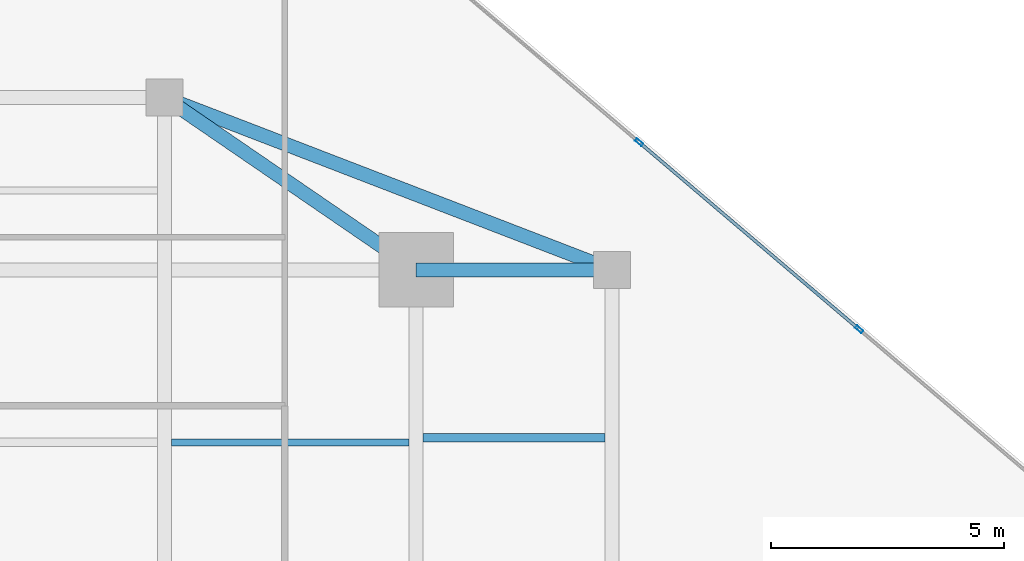
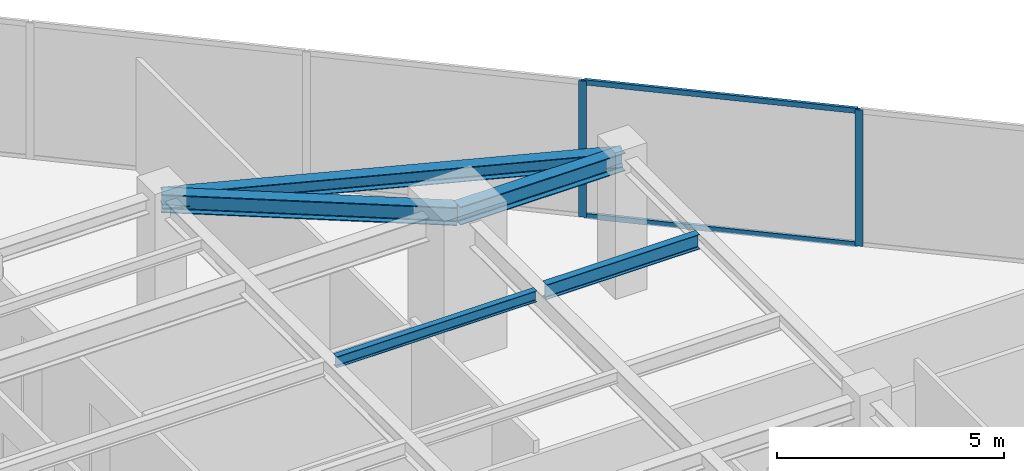
# One storey, part 19 of 25: 5 beams, 4 members, 1 element without a shape of its own.
"""IFC4 building model written with IfcOpenShell, lengths in metres."""

import ifcopenshell
import ifcopenshell.guid

model = None  # the IFC model being written
_history = None  # IfcOwnerHistory: only IFC2X3 demands one
_inside = {}  # id of a spatial element -> (the spatial element, [elements in it])
_under = {}  # id of a project, library or spatial element -> (it, [spatial elements below it])
_declared = {}  # id of a project -> (the project, [libraries it declares])
_typed = {}  # id of a type object -> (the type object, [elements of that type])
_made_of = {}  # id of a material, layer set ... -> (it, [elements and type objects made of it])


def new_model(schema):
    """Start an empty IFC model of exactly this schema.

    Asked for "IFC4X3", IfcOpenShell would pick the latest addendum, in which some entities
    have other attributes; the version numbers below select the first issue.
    IFC2X3 requires an IfcOwnerHistory on every rooted entity: one is made here for all.
    """
    global model, _history
    if schema == "IFC4X3":
        model = ifcopenshell.file(schema_version=(4, 3, 0, 0))
    else:
        model = ifcopenshell.file(schema=schema)
    _inside.clear()
    _under.clear()
    _declared.clear()
    _typed.clear()
    _made_of.clear()
    _history = None
    if model.schema == "IFC2X3":
        org = make("IfcOrganization", Name="unknown")
        user = make(
            "IfcPersonAndOrganization",
            ThePerson=make("IfcPerson", FamilyName="unknown"),
            TheOrganization=org,
        )
        app = make(
            "IfcApplication",
            ApplicationDeveloper=org,
            Version="unknown",
            ApplicationFullName="unknown",
            ApplicationIdentifier="unknown",
        )
        _history = make(
            "IfcOwnerHistory",
            OwningUser=user,
            OwningApplication=app,
            ChangeAction="ADDED",
            CreationDate=0,
        )
    return model


def make(cls, **values):
    """One entity of the class cls with the attributes given. An attribute that is None is left unset."""
    return model.create_entity(
        cls, **{name: value for name, value in values.items() if value is not None}
    )


def rooted(cls, **values):
    """An entity with a GlobalId (a new one), such as an element, a storey or a relation."""
    return make(cls, GlobalId=ifcopenshell.guid.new(), OwnerHistory=_history, **values)


def si_unit(unit_type, name, prefix=None):
    """IfcSIUnit, for example si_unit("LENGTHUNIT", "METRE", prefix="MILLI")."""
    return make("IfcSIUnit", UnitType=unit_type, Prefix=prefix, Name=name)


def assignment(units):
    """IfcUnitAssignment: the units of a project."""
    return None if units is None else make("IfcUnitAssignment", Units=units)


def point(xyz):
    """IfcCartesianPoint."""
    return None if xyz is None else make("IfcCartesianPoint", Coordinates=xyz)


def direction(xyz):
    """IfcDirection."""
    return None if xyz is None else make("IfcDirection", DirectionRatios=xyz)


def frame(location, z_axis=None, x_axis=None):
    """IfcAxis2Placement3D, a coordinate frame: its origin and axes. An axis left out is left unset."""
    return make(
        "IfcAxis2Placement3D",
        Location=point(location),
        Axis=direction(z_axis),
        RefDirection=direction(x_axis),
    )


def frame_2d(location, x_axis=None):
    """IfcAxis2Placement2D, a coordinate frame in the plane: its origin and x axis."""
    return make(
        "IfcAxis2Placement2D", Location=point(location), RefDirection=direction(x_axis)
    )


def origin():
    """The frame at (0, 0, 0) with its axes left unset."""
    return frame((0.0, 0.0, 0.0))


def origin_2d():
    """The frame at (0, 0) in the plane with its x axis left unset."""
    return frame_2d((0.0, 0.0))


def place(relative_to, where):
    """IfcLocalPlacement: puts the frame where relative to a parent placement (None: the world)."""
    return make(
        "IfcLocalPlacement", PlacementRelTo=relative_to, RelativePlacement=where
    )


def context(
    kind, dimensions, precision=None, world=None, true_north=None, identifier=None
):
    """IfcGeometricRepresentationContext, for example the 3D "Model" context."""
    return make(
        "IfcGeometricRepresentationContext",
        ContextIdentifier=identifier,
        ContextType=kind,
        CoordinateSpaceDimension=dimensions,
        Precision=precision,
        WorldCoordinateSystem=world,
        TrueNorth=true_north,
    )


def subcontext(parent, identifier, kind, view, scale=None):
    """IfcGeometricRepresentationSubContext, for example "Body" below "Model"."""
    return make(
        "IfcGeometricRepresentationSubContext",
        ContextIdentifier=identifier,
        ContextType=kind,
        ParentContext=parent,
        TargetScale=scale,
        TargetView=view,
    )


def project(units=None, contexts=None):
    """IfcProject with its units and contexts."""
    return rooted(
        "IfcProject",
        Name="project",
        RepresentationContexts=contexts,
        UnitsInContext=assignment(units),
    )


def spatial(cls, under=None, at=None, **own):
    """A site, building, storey or space (cls), placed at a placement, below another one or the project."""
    s = rooted(cls, ObjectPlacement=at, **own)
    if under is not None:
        _under.setdefault(under.id(), (under, []))[1].append(s)
    return s


def profile(cls, at=None, kind="AREA", **sizes):
    """A parametric profile (cls). Its sizes go by their IFC names, for example OverallWidth=200.0."""
    return make(cls, ProfileType=kind, Position=at, **sizes)


def hollow_rectangle(**sizes):
    """IfcRectangleHollowProfileDef."""
    return profile("IfcRectangleHollowProfileDef", **sizes)


def i_section(**sizes):
    """IfcIShapeProfileDef."""
    return profile("IfcIShapeProfileDef", **sizes)


def extrude(swept, where, along, depth):
    """IfcExtrudedAreaSolid: the profile swept, set in the frame where, extruded along a direction by depth."""
    return make(
        "IfcExtrudedAreaSolid",
        SweptArea=swept,
        Position=where,
        ExtrudedDirection=direction(along),
        Depth=depth,
    )


def shape(context_of_items, identifier, shape_type, items):
    """IfcShapeRepresentation: the items that make up one representation, for example the "Body"."""
    return make(
        "IfcShapeRepresentation",
        ContextOfItems=context_of_items,
        RepresentationIdentifier=identifier,
        RepresentationType=shape_type,
        Items=items,
    )


def source(mapping_origin, context_of_items, identifier, shape_type, items):
    """IfcRepresentationMap: a shape defined once, which mapped items show again and again."""
    return make(
        "IfcRepresentationMap",
        MappingOrigin=mapping_origin,
        MappedRepresentation=shape(context_of_items, identifier, shape_type, items),
    )


def transform(
    local_origin,
    x_axis=None,
    y_axis=None,
    z_axis=None,
    scale=None,
    scale2=None,
    scale3=None,
    uniform=True,
):
    """IfcCartesianTransformationOperator3D, or its non-uniform kind. x_axis, y_axis, z_axis: its Axis1, 2, 3."""
    if uniform:
        return make(
            "IfcCartesianTransformationOperator3D",
            Axis1=direction(x_axis),
            Axis2=direction(y_axis),
            LocalOrigin=point(local_origin),
            Scale=scale,
            Axis3=direction(z_axis),
        )
    return make(
        "IfcCartesianTransformationOperator3DnonUniform",
        Axis1=direction(x_axis),
        Axis2=direction(y_axis),
        LocalOrigin=point(local_origin),
        Scale=scale,
        Axis3=direction(z_axis),
        Scale2=scale2,
        Scale3=scale3,
    )


def mapped(mapping_source, mapping_target):
    """IfcMappedItem: shows the shape of a source again, moved by a transform."""
    return make(
        "IfcMappedItem", MappingSource=mapping_source, MappingTarget=mapping_target
    )


def material(Name=None, Category=None):
    """IfcMaterial."""
    return make("IfcMaterial", Name=Name, Category=Category)


def material_profile(
    of_material, cross_section, Name=None, Category=None, Priority=None
):
    """IfcMaterialProfile: a cross section and its material."""
    return make(
        "IfcMaterialProfile",
        Name=Name,
        Material=of_material,
        Profile=cross_section,
        Priority=Priority,
        Category=Category,
    )


def profile_set(profiles, Name=None, composite=None):
    """IfcMaterialProfileSet."""
    return make(
        "IfcMaterialProfileSet",
        Name=Name,
        MaterialProfiles=profiles,
        CompositeProfile=composite,
    )


def made_of(thing, what):
    """Note that an element or type object is made of a material, layer set ...; save() writes the relation."""
    if what is not None:
        _made_of.setdefault(what.id(), (what, []))[1].append(thing)
    return thing


def type_object(cls, material=None, **own):
    """A type object (cls), such as IfcWallType, which elements share."""
    return made_of(rooted(cls, **own), material)


def type_shapes(of_type, sources):
    """Give a type object the sources (RepresentationMaps) that its elements show as mapped items."""
    of_type.RepresentationMaps = sources


def element(
    cls,
    number,
    at=None,
    inside=None,
    cuts=None,
    type_object=None,
    material=None,
    context=None,
    identifier="Body",
    shape_type=None,
    held_by="IfcProductDefinitionShape",
    body=None,
    shapes=None,
    **own,
):
    """One element of the class cls, such as IfcWall. Its Tag is "e" and its number.

    at: its placement. inside: the storey or other place that contains it. cuts: it is an
    opening in that element (IfcRelVoidsElement). A single representation is given by context,
    identifier, shape_type and body (its items); several are given by shapes. held_by: the class
    of the entity that holds the representations. save() writes the other relations.
    """
    e = rooted(cls, Tag="e%d" % number, ObjectPlacement=at, **own)
    if body is not None:
        shapes = [shape(context, identifier, shape_type, body)]
    if shapes is not None:
        e.Representation = make(held_by, Representations=shapes)
    if inside is not None:
        _inside.setdefault(inside.id(), (inside, []))[1].append(e)
    if cuts is not None:
        rooted(
            "IfcRelVoidsElement", RelatingBuildingElement=cuts, RelatedOpeningElement=e
        )
    if type_object is not None:
        _typed.setdefault(type_object.id(), (type_object, []))[1].append(e)
    return made_of(e, material)


def aggregate(whole, parts):
    """IfcRelAggregates: a whole, such as a stair, and the parts it consists of."""
    return rooted("IfcRelAggregates", RelatingObject=whole, RelatedObjects=parts)


def save(model, path):
    """Write the relations noted so far, then the file.

    IfcRelAggregates (storeys below a building ...), IfcRelContainedInSpatialStructure (elements
    in a storey), IfcRelDefinesByType, IfcRelAssociatesMaterial and IfcRelDeclares: one each for
    every whole, place, type object, material and project.
    """
    for whole, parts in _under.values():
        aggregate(whole, parts)
    for where, things in _inside.values():
        rooted(
            "IfcRelContainedInSpatialStructure",
            RelatedElements=things,
            RelatingStructure=where,
        )
    for kind, things in _typed.values():
        rooted("IfcRelDefinesByType", RelatedObjects=things, RelatingType=kind)
    for what, things in _made_of.values():
        rooted("IfcRelAssociatesMaterial", RelatedObjects=things, RelatingMaterial=what)
    for by, libraries in _declared.values():
        rooted("IfcRelDeclares", RelatingContext=by, RelatedDefinitions=libraries)
    model.write(path)


model = new_model("IFC4")

# Units and contexts
model_context = context("Model", 3, precision=1e-05, world=origin(), true_north=direction((0.0, 1.0)))
body_context = subcontext(model_context, "Body", "Model", "MODEL_VIEW")
ifc_project = project(units=[si_unit("LENGTHUNIT", "METRE"), si_unit("AREAUNIT", "SQUARE_METRE"), si_unit("VOLUMEUNIT", "CUBIC_METRE"), si_unit("PLANEANGLEUNIT", "RADIAN"), si_unit("MASSUNIT", "GRAM", prefix="KILO")], contexts=[model_context])

# Site, building, storey
site_placement = place(None, origin())
site = spatial("IfcSite", under=ifc_project, at=site_placement, CompositionType="ELEMENT")
building_placement = place(site_placement, origin())
building = spatial("IfcBuilding", under=site, at=building_placement, Name="Krantzveldt Concourse Tower", CompositionType="ELEMENT")
storey_placement = place(building_placement, frame((0.0, 0.0, 211.25)))
storey = spatial("IfcBuildingStorey", under=building, at=storey_placement, Name="L51", CompositionType="ELEMENT", Elevation=211.25)

# Beams
ifc_material_1 = material(Name="Steel S355JR", Category="steel")
ifc_material_profile_1 = material_profile(ifc_material_1, i_section(OverallWidth=0.300048828125, OverallDepth=0.389892578125, WebThickness=0.010986328125, FlangeThickness=0.01904296875, FilletRadius=0.027099609375, at=origin_2d()), Name="Steel S355JR", Category="steel")
ifc_profile_set_1 = profile_set([ifc_material_profile_1], Name="Steel S355JR - HEA 400")
beam_type_1 = type_object("IfcBeamType", Name="BM-SP-HEA400", PredefinedType="SPANDREL", material=ifc_profile_set_1)
shared_shape_1 = source(origin(), body_context, "Body", "SweptSolid", [
    extrude(i_section(OverallWidth=0.300048828125, OverallDepth=0.389892578125, WebThickness=0.010986328125, FlangeThickness=0.01904296875, FilletRadius=0.027099609375, at=origin_2d()), origin(), (0.0, 0.0, 1.0), 10.288330078125),
])
type_shapes(beam_type_1, [shared_shape_1])
beam_1_placement = place(storey_placement, frame((41.39990234375, 41.199951171875, 3.47509765625), z_axis=(0.933097690408, -0.359622997257, 0.0), x_axis=(0.359622997257, 0.933097690408, 0.0)))
element("IfcBeam", 1, at=beam_1_placement, inside=storey, type_object=beam_type_1, Name="L51 Tower Girder SP-R05", PredefinedType="SPANDREL", context=body_context, shape_type="MappedRepresentation", body=[
    mapped(shared_shape_1, transform((0.0, 0.0, 0.0), x_axis=(1.0, 0.0, 0.0), y_axis=(0.0, 1.0, 0.0), z_axis=(0.0, 0.0, 1.0), scale=1.0)),
])
ifc_material_profile_2 = material_profile(ifc_material_1, i_section(OverallWidth=0.300048828125, OverallDepth=0.489990234375, WebThickness=0.011962890625, FlangeThickness=0.02294921875, FilletRadius=0.027099609375, at=origin_2d()), Name="Steel S355JR", Category="steel")
ifc_profile_set_2 = profile_set([ifc_material_profile_2], Name="Steel S355JR - HEA 500")
beam_type_2 = type_object("IfcBeamType", Name="BM-B-HEA500", PredefinedType="BEAM", material=ifc_profile_set_2)
shared_shape_2 = source(origin(), body_context, "Body", "SweptSolid", [
    extrude(i_section(OverallWidth=0.300048828125, OverallDepth=0.489990234375, WebThickness=0.011962890625, FlangeThickness=0.02294921875, FilletRadius=0.027099609375, at=origin_2d()), origin(), (0.0, 0.0, 1.0), 4.199951171875),
])
beam_2_placement = place(storey_placement, frame((46.800048828125, 37.5, 3.425048828125), z_axis=(1.0, 0.0, 0.0), x_axis=(0.0, 1.0, 0.0)))
element("IfcBeam", 2, at=beam_2_placement, inside=storey, type_object=beam_type_2, Name="L51 Tower Girder BR-RR3", PredefinedType="BEAM", context=body_context, shape_type="MappedRepresentation", body=[
    mapped(shared_shape_2, transform((0.0, 0.0, 0.0), x_axis=(1.0, 0.0, 0.0), y_axis=(0.0, 1.0, 0.0), z_axis=(0.0, 0.0, 1.0), scale=1.0)),
])
shared_shape_3 = source(origin(), body_context, "Body", "SweptSolid", [
    extrude(i_section(OverallWidth=0.300048828125, OverallDepth=0.489990234375, WebThickness=0.011962890625, FlangeThickness=0.02294921875, FilletRadius=0.027099609375, at=origin_2d()), origin(), (0.0, 0.0, 1.0), 6.546142578125),
])
type_shapes(beam_type_2, [shared_shape_2, shared_shape_3])
beam_3_placement = place(storey_placement, frame((46.800048828125, 37.5, 3.425048828125), z_axis=(-0.824942999484, 0.565215930068, 0.0), x_axis=(-0.565215930068, -0.824942999484, 0.0)))
element("IfcBeam", 3, at=beam_3_placement, inside=storey, type_object=beam_type_2, Name="L51 Tower Girder BR-RR4", PredefinedType="BEAM", context=body_context, shape_type="MappedRepresentation", body=[
    mapped(shared_shape_3, transform((0.0, 0.0, 0.0), x_axis=(1.0, 0.0, 0.0), y_axis=(0.0, 1.0, 0.0), z_axis=(0.0, 0.0, 1.0), scale=1.0)),
])
ifc_material_profile_3 = material_profile(ifc_material_1, i_section(OverallWidth=0.14990234375, OverallDepth=0.300048828125, WebThickness=0.007080078125, FlangeThickness=0.0107421875, FilletRadius=0.014892578125, at=origin_2d()), Name="Steel S355JR", Category="steel")
ifc_profile_set_3 = profile_set([ifc_material_profile_3], Name="Steel S355JR - IPE 300")
beam_type_3 = type_object("IfcBeamType", Name="BM-J-IPE300", PredefinedType="JOIST", material=ifc_profile_set_3)
shared_shape_4 = source(origin(), body_context, "Body", "SweptSolid", [
    extrude(i_section(OverallWidth=0.14990234375, OverallDepth=0.300048828125, WebThickness=0.007080078125, FlangeThickness=0.0107421875, FilletRadius=0.014892578125, at=origin_2d()), origin(), (0.0, 0.0, 1.0), 5.099853515625),
])
type_shapes(beam_type_3, [shared_shape_4])
beam_4_placement = place(storey_placement, frame((41.550048828125, 33.800048828125, 3.52001953125), z_axis=(1.0, 0.0, 0.0), x_axis=(0.0, 1.0, 0.0)))
element("IfcBeam", 4, at=beam_4_placement, inside=storey, type_object=beam_type_3, Name="L51 Secondary Floor Joist JN-E2", PredefinedType="JOIST", context=body_context, shape_type="MappedRepresentation", body=[
    mapped(shared_shape_4, transform((0.0, 0.0, 0.0), x_axis=(1.0, 0.0, 0.0), y_axis=(0.0, 1.0, 0.0), z_axis=(0.0, 0.0, 1.0), scale=1.0)),
])
ifc_material_profile_4 = material_profile(ifc_material_1, i_section(OverallWidth=0.179931640625, OverallDepth=0.39990234375, WebThickness=0.008544921875, FlangeThickness=0.013427734375, FilletRadius=0.02099609375, at=origin_2d()), Name="Steel S355JR", Category="steel")
ifc_profile_set_4 = profile_set([ifc_material_profile_4], Name="Steel S355JR - IPE 400")
beam_type_4 = type_object("IfcBeamType", Name="BM-J-IPE400", PredefinedType="JOIST", material=ifc_profile_set_4)
shared_shape_5 = source(origin(), body_context, "Body", "SweptSolid", [
    extrude(i_section(OverallWidth=0.179931640625, OverallDepth=0.39990234375, WebThickness=0.008544921875, FlangeThickness=0.013427734375, FilletRadius=0.02099609375, at=origin_2d()), origin(), (0.0, 0.0, 1.0), 3.900146484375),
])
type_shapes(beam_type_4, [shared_shape_5])
beam_5_placement = place(storey_placement, frame((46.949951171875, 33.89990234375, 3.469970703125), z_axis=(1.0, 0.0, 0.0), x_axis=(0.0, 1.0, 0.0)))
element("IfcBeam", 5, at=beam_5_placement, inside=storey, type_object=beam_type_4, Name="L51 Secondary Floor Joist JE-4", PredefinedType="JOIST", context=body_context, shape_type="MappedRepresentation", body=[
    mapped(shared_shape_5, transform((0.0, 0.0, 0.0), x_axis=(1.0, 0.0, 0.0), y_axis=(0.0, 1.0, 0.0), z_axis=(0.0, 0.0, 1.0), scale=1.0)),
])

# Curtain wall, members
ifc_material_2 = material(Name="Anodised aluminium 6063-T6", Category="aluminium")
curtain_wall_type = type_object("IfcCurtainWallType", Name="CW3", PredefinedType="USERDEFINED", material=ifc_material_2)
curtain_wall_placement = place(storey_placement, origin())
curtain_wall = element("IfcCurtainWall", 6, at=curtain_wall_placement, inside=storey, type_object=curtain_wall_type, Name="CW-L51-F10", ObjectType="UNITISED CURTAIN WALL", PredefinedType="USERDEFINED")
ifc_material_profile_5 = material_profile(ifc_material_2, hollow_rectangle(XDim=0.070068359375, YDim=0.179931640625, WallThickness=0.0048828125, at=origin_2d()), Name="Anodised aluminium 6063-T6", Category="aluminium")
ifc_profile_set_5 = profile_set([ifc_material_profile_5], Name="Anodised aluminium 6063-T6 - ALU-MULL 180x70x5")
member_type_1 = type_object("IfcMemberType", Name="CW-MUL-180", PredefinedType="MULLION", material=ifc_profile_set_5)
shared_shape_6 = source(origin(), body_context, "Body", "SweptSolid", [
    extrude(hollow_rectangle(XDim=0.070068359375, YDim=0.179931640625, WallThickness=0.0048828125, at=origin_2d()), origin(), (0.0, 0.0, 1.0), 3.669921875),
])
type_shapes(member_type_1, [shared_shape_6])
member_1_placement = place(storey_placement, frame((56.306396484375, 36.224365234375, 0.0), z_axis=(0.0, 0.0, 1.0), x_axis=(-0.647787694805, -0.761820912327, 0.0)))
member_1 = element("IfcMember", 7, at=member_1_placement, type_object=member_type_1, Name="CW-Z34 mullion 2", PredefinedType="MULLION", context=body_context, shape_type="MappedRepresentation", body=[
    mapped(shared_shape_6, transform((0.0, 0.0, 0.0), x_axis=(1.0, 0.0, 0.0), y_axis=(0.0, 1.0, 0.0), z_axis=(0.0, 0.0, 1.0), scale=1.0)),
])
member_2_placement = place(storey_placement, frame((51.5830078125, 40.24072265625, 0.0), z_axis=(0.0, 0.0, 1.0), x_axis=(-0.647787694805, -0.761820912327, 0.0)))
member_2 = element("IfcMember", 8, at=member_2_placement, type_object=member_type_1, Name="CW-Z34 mullion 3", PredefinedType="MULLION", context=body_context, shape_type="MappedRepresentation", body=[
    mapped(shared_shape_6, transform((0.0, 0.0, 0.0), x_axis=(1.0, 0.0, 0.0), y_axis=(0.0, 1.0, 0.0), z_axis=(0.0, 0.0, 1.0), scale=1.0)),
])
ifc_material_profile_6 = material_profile(ifc_material_2, hollow_rectangle(XDim=0.070068359375, YDim=0.139892578125, WallThickness=0.0048828125, at=origin_2d()), Name="Anodised aluminium 6063-T6", Category="aluminium")
ifc_profile_set_6 = profile_set([ifc_material_profile_6], Name="Anodised aluminium 6063-T6 - ALU-TRAN 140x70x5")
member_type_2 = type_object("IfcMemberType", Name="CW-TRN-150", PredefinedType="USERDEFINED", material=ifc_profile_set_6)
shared_shape_7 = source(origin(), body_context, "Body", "SweptSolid", [
    extrude(hollow_rectangle(XDim=0.070068359375, YDim=0.139892578125, WallThickness=0.0048828125, at=origin_2d()), origin(), (0.0, 0.0, 1.0), 6.1298828125),
])
type_shapes(member_type_2, [shared_shape_7])
member_3_placement = place(storey_placement, frame((56.279541015625, 36.2470703125, 0.034912109375), z_axis=(-0.761817452252, 0.647791763952, 0.0), x_axis=(-0.647791763952, -0.761817452252, 0.0)))
member_3 = element("IfcMember", 9, at=member_3_placement, type_object=member_type_2, Name="CW-Z34 transom 2.1", ObjectType="TRANSOM", PredefinedType="USERDEFINED", context=body_context, shape_type="MappedRepresentation", body=[
    mapped(shared_shape_7, transform((0.0, 0.0, 0.0), x_axis=(1.0, 0.0, 0.0), y_axis=(0.0, 1.0, 0.0), z_axis=(0.0, 0.0, 1.0), scale=1.0)),
])
member_4_placement = place(storey_placement, frame((56.279541015625, 36.2470703125, 3.635009765625), z_axis=(-0.761817452252, 0.647791763952, 0.0), x_axis=(-0.647791763952, -0.761817452252, 0.0)))
member_4 = element("IfcMember", 10, at=member_4_placement, type_object=member_type_2, Name="CW-Z34 transom 2.2", ObjectType="TRANSOM", PredefinedType="USERDEFINED", context=body_context, shape_type="MappedRepresentation", body=[
    mapped(shared_shape_7, transform((0.0, 0.0, 0.0), x_axis=(1.0, 0.0, 0.0), y_axis=(0.0, 1.0, 0.0), z_axis=(0.0, 0.0, 1.0), scale=1.0)),
])
aggregate(curtain_wall, [member_1, member_2, member_3, member_4])

save(model, "model.ifc")
